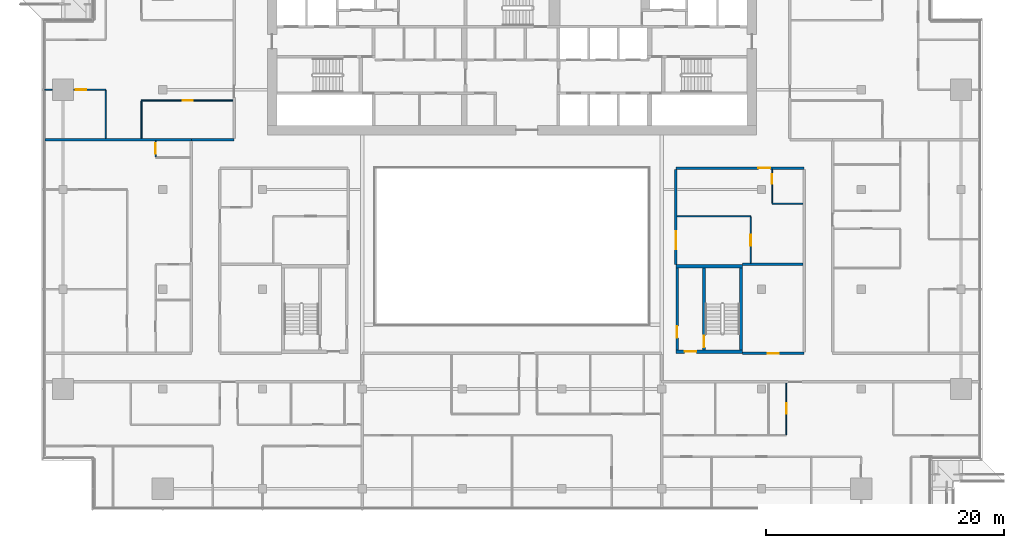
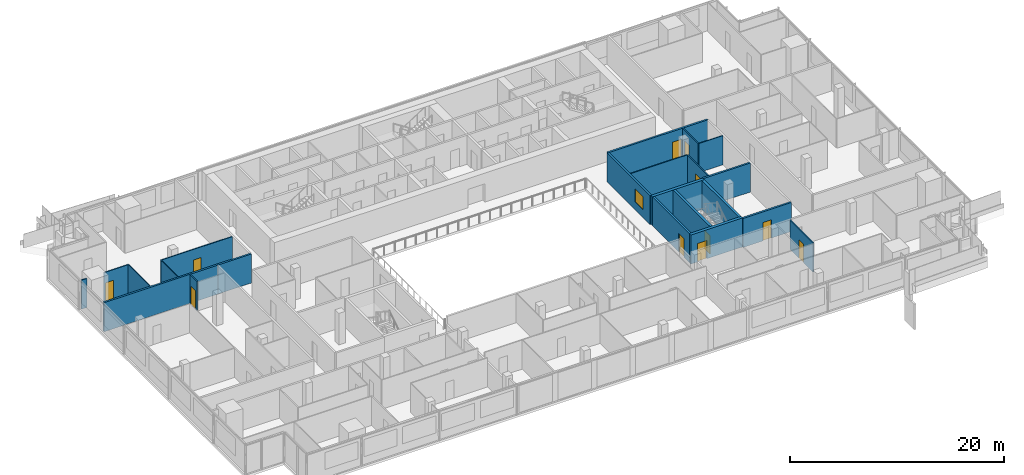
# One storey, part 20 of 30: 22 walls, 11 doors, 1 window, 12 openings.
"""IFC4 building model written with IfcOpenShell, lengths in metres."""

from ifc_helpers import new_model, si_unit, direction, frame, frame_2d, origin, place, context, subcontext, project, spatial, rectangle, extrude, material, layer, layer_set, type_object, element, fill, save


model = new_model("IFC4")

# Units and contexts
model_context = context("Model", 3, precision=1e-05, world=origin(), true_north=direction((0.0, 1.0)))
body_context = subcontext(model_context, "Body", "Model", "MODEL_VIEW")
ifc_project = project(units=[si_unit("LENGTHUNIT", "METRE"), si_unit("AREAUNIT", "SQUARE_METRE"), si_unit("VOLUMEUNIT", "CUBIC_METRE"), si_unit("PLANEANGLEUNIT", "RADIAN"), si_unit("MASSUNIT", "GRAM", prefix="KILO")], contexts=[model_context])

# Site, building, storey
site_placement = place(None, origin())
site = spatial("IfcSite", under=ifc_project, at=site_placement, CompositionType="ELEMENT")
building_placement = place(site_placement, origin())
building = spatial("IfcBuilding", under=site, at=building_placement, Name="Saffron Gate Tower", CompositionType="ELEMENT")
storey_placement = place(building_placement, frame((0.0, 0.0, 179.85009765625)))
storey = spatial("IfcBuildingStorey", under=building, at=storey_placement, Name="L44", CompositionType="ELEMENT", Elevation=179.85009765625)

# Wall, opening, door
ifc_material_1 = material(Name="Gypsum board partition on steel studs", Category="steel")
ifc_layer_1 = layer(ifc_material_1, 0.199951171875)
ifc_layer_set_1 = layer_set([ifc_layer_1], Name="CW10 Core partition 200")
wall_type_1 = type_object("IfcWallType", Name="CW10 Core partition 200", PredefinedType="PARTITIONING", material=ifc_layer_set_1)
wall_1_placement = place(storey_placement, frame((101.5, 43.5, 0.0), z_axis=(0.0, 0.0, 1.0), x_axis=(0.0, 1.0, 0.0)))
wall_1 = element("IfcWall", 1, at=wall_1_placement, inside=storey, type_object=wall_type_1, Name="Wall CW10-L44-E-2", PredefinedType="PARTITIONING", context=body_context, shape_type="SweptSolid", body=[
    extrude(rectangle(XDim=6.89990234375, YDim=0.199951171875, at=frame_2d((3.449951171875, 0.0))), origin(), (0.0, 0.0, 1.0), 3.31982421875),
])
opening_1_placement = place(wall_1_placement, frame((1.0, 0.0, 0.0)))
opening_1 = element("IfcOpeningElement", 2, at=opening_1_placement, cuts=wall_1, Name="Opening CR-22", PredefinedType="OPENING", context=body_context, shape_type="SweptSolid", body=[
    extrude(rectangle(XDim=1.0, YDim=2.10009765625, at=frame_2d((0.5, 1.050048828125))), frame((0.0, 0.10986328125, 0.0), z_axis=(0.0, -1.0, 0.0), x_axis=(1.0, 0.0, 0.0)), (0.0, 0.0, 1.0), 0.219970703125),
])
ifc_material_2 = material(Name="Steel fire door set", Category="steel")
door_type_1 = type_object("IfcDoorType", Name="CD4 Lobby door 1000x2100 EI 120", OperationType="NOTDEFINED", PredefinedType="DOOR", material=ifc_material_2)
door_1_placement = place(opening_1_placement, origin())
door_1 = element("IfcDoor", 3, at=door_1_placement, inside=storey, type_object=door_type_1, Name="DOOR CR-22", OperationType="SINGLE_SWING_LEFT", OverallHeight=2.10009765625, OverallWidth=1.0, PredefinedType="DOOR", context=body_context, shape_type="SweptSolid", body=[
    extrude(rectangle(XDim=1.0, YDim=2.10009765625, at=frame_2d((0.5, 1.050048828125))), frame((0.0, 0.02490234375, 0.0), z_axis=(0.0, -1.0, 0.0), x_axis=(1.0, 0.0, 0.0)), (0.0, 0.0, 1.0), 0.050048828125),
])
fill(opening_1, door_1)

ifc_material_3 = material(Name="Concrete C60", Category="concrete")
ifc_layer_2 = layer(ifc_material_3, 0.25)
ifc_layer_set_2 = layer_set([ifc_layer_2], Name="CW14 RC core wall 250 C60")
wall_type_2 = type_object("IfcWallType", Name="CW14 RC core wall 250 C60", PredefinedType="SOLIDWALL", material=ifc_layer_set_2)
wall_2_placement = place(storey_placement, frame((103.77490234375, 43.5, 0.0), z_axis=(0.0, 0.0, 1.0), x_axis=(0.0, 1.0, 0.0)))
wall_2 = element("IfcWall", 4, at=wall_2_placement, inside=storey, type_object=wall_type_2, Name="Wall CW14-L44-E-3", PredefinedType="SOLIDWALL", context=body_context, shape_type="SweptSolid", body=[
    extrude(rectangle(XDim=6.89990234375, YDim=0.25, at=frame_2d((3.449951171875, 0.0))), origin(), (0.0, 0.0, 1.0), 3.31982421875),
])
opening_2_placement = place(wall_2_placement, frame((0.199951171875, 0.0, 0.0)))
opening_2 = element("IfcOpeningElement", 5, at=opening_2_placement, cuts=wall_2, Name="Opening CR-23", PredefinedType="OPENING", context=body_context, shape_type="SweptSolid", body=[
    extrude(rectangle(XDim=1.0, YDim=2.10009765625, at=frame_2d((0.5, 1.050048828125))), frame((0.0, 0.135009765625, 0.0), z_axis=(0.0, -1.0, 0.0), x_axis=(1.0, 0.0, 0.0)), (0.0, 0.0, 1.0), 0.27001953125),
])
door_type_2 = type_object("IfcDoorType", Name="CD5 Stair door 1000x2100 EI 120", OperationType="NOTDEFINED", PredefinedType="DOOR", material=ifc_material_2)
door_2_placement = place(opening_2_placement, origin())
door_2 = element("IfcDoor", 6, at=door_2_placement, inside=storey, type_object=door_type_2, Name="DOOR CR-23", OperationType="SINGLE_SWING_RIGHT", OverallHeight=2.10009765625, OverallWidth=1.0, PredefinedType="DOOR", context=body_context, shape_type="SweptSolid", body=[
    extrude(rectangle(XDim=1.0, YDim=2.10009765625, at=frame_2d((0.5, 1.050048828125))), frame((0.0, 0.02490234375, 0.0), z_axis=(0.0, -1.0, 0.0), x_axis=(1.0, 0.0, 0.0)), (0.0, 0.0, 1.0), 0.050048828125),
])
fill(opening_2, door_2)

# Wall
wall_3_placement = place(storey_placement, frame((106.875, 43.5, 0.0), z_axis=(0.0, 0.0, 1.0), x_axis=(0.0, 1.0, 0.0)))
element("IfcWall", 7, at=wall_3_placement, inside=storey, type_object=wall_type_2, Name="Wall CW14-L44-E-4", PredefinedType="SOLIDWALL", context=body_context, shape_type="SweptSolid", body=[
    extrude(rectangle(XDim=6.89990234375, YDim=0.25, at=frame_2d((3.449951171875, 0.0))), origin(), (0.0, 0.0, 1.0), 3.31982421875),
])

# Wall, opening, door
ifc_layer_3 = layer(ifc_material_3, 0.300048828125)
ifc_layer_set_3 = layer_set([ifc_layer_3], Name="CW17 RC core wall 300 C60")
wall_type_3 = type_object("IfcWallType", Name="CW17 RC core wall 300 C60", PredefinedType="SOLIDWALL", material=ifc_layer_set_3)
wall_4_placement = place(storey_placement, frame((101.39990234375, 43.35009765625, 0.0), z_axis=(0.0, 0.0, 1.0), x_axis=(1.0, 0.0, 0.0)))
wall_4 = element("IfcWall", 8, at=wall_4_placement, inside=storey, type_object=wall_type_3, Name="Wall CW17-L44-E-1", PredefinedType="SOLIDWALL", context=body_context, shape_type="SweptSolid", body=[
    extrude(rectangle(XDim=5.60009765625, YDim=0.300048828125, at=frame_2d((2.800048828125, 0.0))), origin(), (0.0, 0.0, 1.0), 3.31982421875),
])
opening_3_placement = place(wall_4_placement, frame((0.72509765625, 0.0, 0.0)))
opening_3 = element("IfcOpeningElement", 9, at=opening_3_placement, cuts=wall_4, Name="Opening CR-21", PredefinedType="OPENING", context=body_context, shape_type="SweptSolid", body=[
    extrude(rectangle(XDim=1.0, YDim=2.10009765625, at=frame_2d((0.5, 1.050048828125))), frame((0.0, 0.16015625, 0.0), z_axis=(0.0, -1.0, 0.0), x_axis=(1.0, 0.0, 0.0)), (0.0, 0.0, 1.0), 0.320068359375),
])
door_3_placement = place(opening_3_placement, origin())
door_3 = element("IfcDoor", 10, at=door_3_placement, inside=storey, type_object=door_type_1, Name="DOOR CR-21", OperationType="SINGLE_SWING_RIGHT", OverallHeight=2.10009765625, OverallWidth=1.0, PredefinedType="DOOR", context=body_context, shape_type="SweptSolid", body=[
    extrude(rectangle(XDim=1.0, YDim=2.10009765625, at=frame_2d((0.5, 1.050048828125))), frame((0.0, 0.02490234375, 0.0), z_axis=(0.0, -1.0, 0.0), x_axis=(1.0, 0.0, 0.0)), (0.0, 0.0, 1.0), 0.050048828125),
])
fill(opening_3, door_3)

# Walls
wall_5_placement = place(storey_placement, frame((101.39990234375, 50.550048828125, 0.0), z_axis=(0.0, 0.0, 1.0), x_axis=(1.0, 0.0, 0.0)))
element("IfcWall", 11, at=wall_5_placement, inside=storey, type_object=wall_type_3, Name="Wall CW17-L44-E-5", PredefinedType="SOLIDWALL", context=body_context, shape_type="SweptSolid", body=[
    extrude(rectangle(XDim=5.60009765625, YDim=0.300048828125, at=frame_2d((2.800048828125, 0.0))), origin(), (0.0, 0.0, 1.0), 3.31982421875),
])
ifc_material_4 = material(Name="Plasterboard on steel studs", Category="steel")
ifc_layer_4 = layer(ifc_material_4, 0.10009765625)
ifc_layer_set_4 = layer_set([ifc_layer_4], Name="PW1 Partition 100")
wall_type_4 = type_object("IfcWallType", Name="PW1 Partition 100", PredefinedType="PARTITIONING", material=ifc_layer_set_4)
wall_6_placement = place(storey_placement, frame((101.5, 54.75, 0.0), z_axis=(0.0, 0.0, 1.0), x_axis=(1.0, 0.0, 0.0)))
element("IfcWall", 12, at=wall_6_placement, inside=storey, type_object=wall_type_4, Name="Partition C4-33", PredefinedType="PARTITIONING", context=body_context, shape_type="SweptSolid", body=[
    extrude(rectangle(XDim=6.199951171875, YDim=0.10009765625, at=frame_2d((3.10009765625, 0.0))), origin(), (0.0, 0.0, 1.0), 3.31982421875),
])
wall_7_placement = place(storey_placement, frame((109.5, 55.800048828125, 0.0), z_axis=(0.0, 0.0, 1.0), x_axis=(1.0, 0.0, 0.0)))
element("IfcWall", 13, at=wall_7_placement, inside=storey, type_object=wall_type_4, Name="Partition C4-36", PredefinedType="PARTITIONING", context=body_context, shape_type="SweptSolid", body=[
    extrude(rectangle(XDim=2.60009765625, YDim=0.10009765625, at=frame_2d((1.300048828125, 0.0))), origin(), (0.0, 0.0, 1.0), 3.31982421875),
])

# Wall, opening, door
wall_8_placement = place(storey_placement, frame((64.10009765625, 64.5, 0.0), z_axis=(0.0, 0.0, 1.0), x_axis=(-1.0, 0.0, 0.0)))
wall_8 = element("IfcWall", 14, at=wall_8_placement, inside=storey, type_object=wall_type_4, Name="Partition C4-47", PredefinedType="PARTITIONING", context=body_context, shape_type="SweptSolid", body=[
    extrude(rectangle(XDim=7.7001953125, YDim=0.10009765625, at=frame_2d((3.85009765625, 0.0))), origin(), (0.0, 0.0, 1.0), 3.31982421875),
])
opening_4_placement = place(wall_8_placement, frame((3.39990234375, 0.0, 0.0)))
opening_4 = element("IfcOpeningElement", 15, at=opening_4_placement, cuts=wall_8, Name="Opening C4-48", PredefinedType="OPENING", context=body_context, shape_type="SweptSolid", body=[
    extrude(rectangle(XDim=0.800048828125, YDim=2.10009765625, at=frame_2d((0.39990234375, 1.050048828125))), frame((0.0, 0.06005859375, 0.0), z_axis=(0.0, -1.0, 0.0), x_axis=(1.0, 0.0, 0.0)), (0.0, 0.0, 1.0), 0.1201171875),
])
ifc_material_5 = material(Name="Timber door set", Category="wood")
door_type_3 = type_object("IfcDoorType", Name="RD2 Bathroom door 800x2100", OperationType="NOTDEFINED", PredefinedType="DOOR", material=ifc_material_5)
door_4_placement = place(opening_4_placement, origin())
door_4 = element("IfcDoor", 16, at=door_4_placement, inside=storey, type_object=door_type_3, Name="Door C4-48", OperationType="SINGLE_SWING_LEFT", OverallHeight=2.10009765625, OverallWidth=0.800048828125, PredefinedType="DOOR", context=body_context, shape_type="SweptSolid", body=[
    extrude(rectangle(XDim=0.800048828125, YDim=2.10009765625, at=frame_2d((0.39990234375, 1.050048828125))), frame((0.0, 0.02490234375, 0.0), z_axis=(0.0, -1.0, 0.0), x_axis=(1.0, 0.0, 0.0)), (0.0, 0.0, 1.0), 0.050048828125),
])
fill(opening_4, door_4)

# Wall
wall_9_placement = place(storey_placement, frame((48.280029296875, 65.39990234375, 0.0), z_axis=(0.0, 0.0, 1.0), x_axis=(1.0, 0.0, 0.0)))
element("IfcWall", 17, at=wall_9_placement, inside=storey, type_object=wall_type_4, Name="Partition C4-49", PredefinedType="PARTITIONING", context=body_context, shape_type="SweptSolid", body=[
    extrude(rectangle(XDim=0.599853515625, YDim=0.10009765625, at=frame_2d((0.2998046875, 0.0))), origin(), (0.0, 0.0, 1.0), 3.31982421875),
])

# Wall, opening, door
wall_10_placement = place(storey_placement, frame((53.39990234375, 65.39990234375, 0.0), z_axis=(0.0, 0.0, 1.0), x_axis=(-1.0, 0.0, 0.0)))
wall_10 = element("IfcWall", 18, at=wall_10_placement, inside=storey, type_object=wall_type_4, Name="Partition C4-50", PredefinedType="PARTITIONING", context=body_context, shape_type="SweptSolid", body=[
    extrude(rectangle(XDim=2.679931640625, YDim=0.10009765625, at=frame_2d((1.33984375, 0.0))), origin(), (0.0, 0.0, 1.0), 3.31982421875),
])
opening_5_placement = place(wall_10_placement, frame((1.6298828125, 0.0, 0.0)))
opening_5 = element("IfcOpeningElement", 19, at=opening_5_placement, cuts=wall_10, Name="Opening C4-29", PredefinedType="OPENING", context=body_context, shape_type="SweptSolid", body=[
    extrude(rectangle(XDim=0.89990234375, YDim=2.10009765625, at=frame_2d((0.449951171875, 1.050048828125))), frame((0.0, 0.06005859375, 0.0), z_axis=(0.0, -1.0, 0.0), x_axis=(1.0, 0.0, 0.0)), (0.0, 0.0, 1.0), 0.1201171875),
])
door_type_4 = type_object("IfcDoorType", Name="RD1 Room door 900x2100", OperationType="NOTDEFINED", PredefinedType="DOOR", material=ifc_material_5)
door_5_placement = place(opening_5_placement, origin())
door_5 = element("IfcDoor", 20, at=door_5_placement, inside=storey, type_object=door_type_4, Name="Door C4-29", OperationType="SINGLE_SWING_RIGHT", OverallHeight=2.10009765625, OverallWidth=0.89990234375, PredefinedType="DOOR", context=body_context, shape_type="SweptSolid", body=[
    extrude(rectangle(XDim=0.89990234375, YDim=2.10009765625, at=frame_2d((0.449951171875, 1.050048828125))), frame((0.0, 0.02490234375, 0.0), z_axis=(0.0, -1.0, 0.0), x_axis=(1.0, 0.0, 0.0)), (0.0, 0.0, 1.0), 0.050048828125),
])
fill(opening_5, door_5)

# Walls
wall_11_placement = place(storey_placement, frame((53.39990234375, 65.35009765625, 0.0), z_axis=(0.0, 0.0, 1.0), x_axis=(0.0, -1.0, 0.0)))
element("IfcWall", 21, at=wall_11_placement, inside=storey, type_object=wall_type_4, Name="Partition C4-57", PredefinedType="PARTITIONING", context=body_context, shape_type="SweptSolid", body=[
    extrude(rectangle(XDim=4.050048828125, YDim=0.10009765625, at=frame_2d((2.02490234375, 0.0))), origin(), (0.0, 0.0, 1.0), 3.31982421875),
])
wall_12_placement = place(storey_placement, frame((56.39990234375, 64.449951171875, 0.0), z_axis=(0.0, 0.0, 1.0), x_axis=(0.0, -1.0, 0.0)))
element("IfcWall", 22, at=wall_12_placement, inside=storey, type_object=wall_type_4, Name="Partition C4-62", PredefinedType="PARTITIONING", context=body_context, shape_type="SweptSolid", body=[
    extrude(rectangle(XDim=3.14990234375, YDim=0.10009765625, at=frame_2d((1.574951171875, 0.0))), origin(), (0.0, 0.0, 1.0), 3.31982421875),
])

# Wall, opening, door
wall_13_placement = place(storey_placement, frame((57.60009765625, 61.10009765625, 0.0), z_axis=(0.0, 0.0, 1.0), x_axis=(0.0, -1.0, 0.0)))
wall_13 = element("IfcWall", 23, at=wall_13_placement, inside=storey, type_object=wall_type_4, Name="Partition C4-65", PredefinedType="PARTITIONING", context=body_context, shape_type="SweptSolid", body=[
    extrude(rectangle(XDim=1.35009765625, YDim=0.10009765625, at=frame_2d((0.675048828125, 0.0))), origin(), (0.0, 0.0, 1.0), 3.31982421875),
])
opening_6_placement = place(wall_13_placement, frame((0.199951171875, 0.0, 0.0)))
opening_6 = element("IfcOpeningElement", 24, at=opening_6_placement, cuts=wall_13, Name="Opening C4-28", PredefinedType="OPENING", context=body_context, shape_type="SweptSolid", body=[
    extrude(rectangle(XDim=0.89990234375, YDim=2.10009765625, at=frame_2d((0.449951171875, 1.050048828125))), frame((0.0, 0.06005859375, 0.0), z_axis=(0.0, -1.0, 0.0), x_axis=(1.0, 0.0, 0.0)), (0.0, 0.0, 1.0), 0.1201171875),
])
door_6_placement = place(opening_6_placement, origin())
door_6 = element("IfcDoor", 25, at=door_6_placement, inside=storey, type_object=door_type_4, Name="Door C4-28", OperationType="SINGLE_SWING_LEFT", OverallHeight=2.10009765625, OverallWidth=0.89990234375, PredefinedType="DOOR", context=body_context, shape_type="SweptSolid", body=[
    extrude(rectangle(XDim=0.89990234375, YDim=2.10009765625, at=frame_2d((0.449951171875, 1.050048828125))), frame((0.0, 0.02490234375, 0.0), z_axis=(0.0, -1.0, 0.0), x_axis=(1.0, 0.0, 0.0)), (0.0, 0.0, 1.0), 0.050048828125),
])
fill(opening_6, door_6)

wall_14_placement = place(storey_placement, frame((107.699951171875, 50.800048828125, 0.0), z_axis=(0.0, 0.0, 1.0), x_axis=(0.0, 1.0, 0.0)))
wall_14 = element("IfcWall", 26, at=wall_14_placement, inside=storey, type_object=wall_type_4, Name="Partition C4-96", PredefinedType="PARTITIONING", context=body_context, shape_type="SweptSolid", body=[
    extrude(rectangle(XDim=3.89990234375, YDim=0.10009765625, at=frame_2d((1.949951171875, 0.0))), origin(), (0.0, 0.0, 1.0), 3.31982421875),
])
opening_7_placement = place(wall_14_placement, frame((1.47509765625, 0.0, 0.0)))
opening_7 = element("IfcOpeningElement", 27, at=opening_7_placement, cuts=wall_14, Name="Opening C4-39", PredefinedType="OPENING", context=body_context, shape_type="SweptSolid", body=[
    extrude(rectangle(XDim=0.89990234375, YDim=2.10009765625, at=frame_2d((0.449951171875, 1.050048828125))), frame((0.0, 0.06005859375, 0.0), z_axis=(0.0, -1.0, 0.0), x_axis=(1.0, 0.0, 0.0)), (0.0, 0.0, 1.0), 0.1201171875),
])
door_7_placement = place(opening_7_placement, origin())
door_7 = element("IfcDoor", 28, at=door_7_placement, inside=storey, type_object=door_type_4, Name="Door C4-39", OperationType="SINGLE_SWING_LEFT", OverallHeight=2.10009765625, OverallWidth=0.89990234375, PredefinedType="DOOR", context=body_context, shape_type="SweptSolid", body=[
    extrude(rectangle(XDim=0.89990234375, YDim=2.10009765625, at=frame_2d((0.449951171875, 1.050048828125))), frame((0.0, 0.02490234375, 0.0), z_axis=(0.0, -1.0, 0.0), x_axis=(1.0, 0.0, 0.0)), (0.0, 0.0, 1.0), 0.050048828125),
])
fill(opening_7, door_7)

wall_15_placement = place(storey_placement, frame((109.5, 58.699951171875, 0.0), z_axis=(0.0, 0.0, 1.0), x_axis=(0.0, -1.0, 0.0)))
wall_15 = element("IfcWall", 29, at=wall_15_placement, inside=storey, type_object=wall_type_4, Name="Partition C4-98", PredefinedType="PARTITIONING", context=body_context, shape_type="SweptSolid", body=[
    extrude(rectangle(XDim=2.849853515625, YDim=0.10009765625, at=frame_2d((1.4248046875, 0.0))), origin(), (0.0, 0.0, 1.0), 3.31982421875),
])
opening_8_placement = place(wall_15_placement, frame((0.39990234375, 0.0, 0.0)))
opening_8 = element("IfcOpeningElement", 30, at=opening_8_placement, cuts=wall_15, Name="Opening C4-53", PredefinedType="OPENING", context=body_context, shape_type="SweptSolid", body=[
    extrude(rectangle(XDim=0.800048828125, YDim=2.10009765625, at=frame_2d((0.39990234375, 1.050048828125))), frame((0.0, 0.06005859375, 0.0), z_axis=(0.0, -1.0, 0.0), x_axis=(1.0, 0.0, 0.0)), (0.0, 0.0, 1.0), 0.1201171875),
])
door_8_placement = place(opening_8_placement, origin())
door_8 = element("IfcDoor", 31, at=door_8_placement, inside=storey, type_object=door_type_3, Name="Door C4-53", OperationType="SINGLE_SWING_LEFT", OverallHeight=2.10009765625, OverallWidth=0.800048828125, PredefinedType="DOOR", context=body_context, shape_type="SweptSolid", body=[
    extrude(rectangle(XDim=0.800048828125, YDim=2.10009765625, at=frame_2d((0.39990234375, 1.050048828125))), frame((0.0, 0.02490234375, 0.0), z_axis=(0.0, -1.0, 0.0), x_axis=(1.0, 0.0, 0.0)), (0.0, 0.0, 1.0), 0.050048828125),
])
fill(opening_8, door_8)

wall_16_placement = place(storey_placement, frame((110.699951171875, 36.35009765625, 0.0), z_axis=(0.0, 0.0, 1.0), x_axis=(0.0, 1.0, 0.0)))
wall_16 = element("IfcWall", 32, at=wall_16_placement, inside=storey, type_object=wall_type_4, Name="Partition C4-99", PredefinedType="PARTITIONING", context=body_context, shape_type="SweptSolid", body=[
    extrude(rectangle(XDim=4.349853515625, YDim=0.10009765625, at=frame_2d((2.1748046875, 0.0))), origin(), (0.0, 0.0, 1.0), 3.31982421875),
])
opening_9_placement = place(wall_16_placement, frame((1.75, 0.0, 0.0)))
opening_9 = element("IfcOpeningElement", 33, at=opening_9_placement, cuts=wall_16, Name="Opening C4-25", PredefinedType="OPENING", context=body_context, shape_type="SweptSolid", body=[
    extrude(rectangle(XDim=0.89990234375, YDim=2.10009765625, at=frame_2d((0.449951171875, 1.050048828125))), frame((0.0, 0.06005859375, 0.0), z_axis=(0.0, -1.0, 0.0), x_axis=(1.0, 0.0, 0.0)), (0.0, 0.0, 1.0), 0.1201171875),
])
door_9_placement = place(opening_9_placement, origin())
door_9 = element("IfcDoor", 34, at=door_9_placement, inside=storey, type_object=door_type_4, Name="Door C4-25", OperationType="SINGLE_SWING_RIGHT", OverallHeight=2.10009765625, OverallWidth=0.89990234375, PredefinedType="DOOR", context=body_context, shape_type="SweptSolid", body=[
    extrude(rectangle(XDim=0.89990234375, YDim=2.10009765625, at=frame_2d((0.449951171875, 1.050048828125))), frame((0.0, 0.02490234375, 0.0), z_axis=(0.0, -1.0, 0.0), x_axis=(1.0, 0.0, 0.0)), (0.0, 0.0, 1.0), 0.050048828125),
])
fill(opening_9, door_9)

# Walls
ifc_material_6 = material(Name="Clay brick masonry, rendered", Category="masonry")
ifc_layer_5 = layer(ifc_material_6, 0.199951171875)
ifc_layer_set_5 = layer_set([ifc_layer_5], Name="PW2 Demising wall 200")
wall_type_5 = type_object("IfcWallType", Name="PW2 Demising wall 200", PredefinedType="PARTITIONING", material=ifc_layer_set_5)
wall_17_placement = place(storey_placement, frame((107.0, 50.699951171875, 0.0), z_axis=(0.0, 0.0, 1.0), x_axis=(1.0, 0.0, 0.0)))
element("IfcWall", 35, at=wall_17_placement, inside=storey, type_object=wall_type_5, Name="Wall C4-28", PredefinedType="PARTITIONING", context=body_context, shape_type="SweptSolid", body=[
    extrude(rectangle(XDim=5.10009765625, YDim=0.199951171875, at=frame_2d((2.550048828125, 0.0))), origin(), (0.0, 0.0, 1.0), 3.31982421875),
])
wall_18_placement = place(storey_placement, frame((48.280029296875, 61.199951171875, 0.0), z_axis=(0.0, 0.0, 1.0), x_axis=(1.0, 0.0, 0.0)))
element("IfcWall", 36, at=wall_18_placement, inside=storey, type_object=wall_type_5, Name="Wall C4-45", PredefinedType="PARTITIONING", context=body_context, shape_type="SweptSolid", body=[
    extrude(rectangle(XDim=12.320068359375, YDim=0.199951171875, at=frame_2d((6.16015625, 0.0))), origin(), (0.0, 0.0, 1.0), 3.31982421875),
])

# Wall, opening, door
ifc_layer_6 = layer(ifc_material_6, 0.199951171875)
ifc_layer_set_6 = layer_set([ifc_layer_6], Name="PW3 Corridor wall 200")
wall_type_6 = type_object("IfcWallType", Name="PW3 Corridor wall 200", PredefinedType="PARTITIONING", material=ifc_layer_set_6)
wall_19_placement = place(storey_placement, frame((107.0, 43.199951171875, 0.0), z_axis=(0.0, 0.0, 1.0), x_axis=(1.0, 0.0, 0.0)))
wall_19 = element("IfcWall", 37, at=wall_19_placement, inside=storey, type_object=wall_type_6, Name="Wall C4-19", PredefinedType="PARTITIONING", context=body_context, shape_type="SweptSolid", body=[
    extrude(rectangle(XDim=5.199951171875, YDim=0.199951171875, at=frame_2d((2.60009765625, 0.0))), origin(), (0.0, 0.0, 1.0), 3.31982421875),
])
opening_10_placement = place(wall_19_placement, frame((2.14990234375, 0.0, 0.0)))
opening_10 = element("IfcOpeningElement", 38, at=opening_10_placement, cuts=wall_19, Name="Opening C4-54", PredefinedType="OPENING", context=body_context, shape_type="SweptSolid", body=[
    extrude(rectangle(XDim=0.89990234375, YDim=2.10009765625, at=frame_2d((0.449951171875, 1.050048828125))), frame((0.0, 0.10986328125, 0.0), z_axis=(0.0, -1.0, 0.0), x_axis=(1.0, 0.0, 0.0)), (0.0, 0.0, 1.0), 0.219970703125),
])
door_type_5 = type_object("IfcDoorType", Name="SD1 Service door 900x2100", OperationType="NOTDEFINED", PredefinedType="DOOR", material=ifc_material_2)
door_10_placement = place(opening_10_placement, origin())
door_10 = element("IfcDoor", 39, at=door_10_placement, inside=storey, type_object=door_type_5, Name="Door C4-54", OperationType="SINGLE_SWING_LEFT", OverallHeight=2.10009765625, OverallWidth=0.89990234375, PredefinedType="DOOR", context=body_context, shape_type="SweptSolid", body=[
    extrude(rectangle(XDim=0.89990234375, YDim=2.10009765625, at=frame_2d((0.449951171875, 1.050048828125))), frame((0.0, 0.02490234375, 0.0), z_axis=(0.0, -1.0, 0.0), x_axis=(1.0, 0.0, 0.0)), (0.0, 0.0, 1.0), 0.050048828125),
])
fill(opening_10, door_10)

wall_20_placement = place(storey_placement, frame((112.199951171875, 58.800048828125, 0.0), z_axis=(0.0, 0.0, 1.0), x_axis=(-1.0, 0.0, 0.0)))
wall_20 = element("IfcWall", 40, at=wall_20_placement, inside=storey, type_object=wall_type_6, Name="Wall C4-40", PredefinedType="PARTITIONING", context=body_context, shape_type="SweptSolid", body=[
    extrude(rectangle(XDim=10.800048828125, YDim=0.199951171875, at=frame_2d((5.39990234375, 0.0))), origin(), (0.0, 0.0, 1.0), 3.31982421875),
])
opening_11_placement = place(wall_20_placement, frame((2.85009765625, 0.0, 0.0)))
opening_11 = element("IfcOpeningElement", 41, at=opening_11_placement, cuts=wall_20, Name="Opening C4-9", PredefinedType="OPENING", context=body_context, shape_type="SweptSolid", body=[
    extrude(rectangle(XDim=1.0, YDim=2.10009765625, at=frame_2d((0.5, 1.050048828125))), frame((0.0, 0.10986328125, 0.0), z_axis=(0.0, -1.0, 0.0), x_axis=(1.0, 0.0, 0.0)), (0.0, 0.0, 1.0), 0.219970703125),
])
ifc_material_7 = material(Name="Timber fire door set", Category="wood")
door_type_6 = type_object("IfcDoorType", Name="FD1 Flat entry door 1000x2100", OperationType="NOTDEFINED", PredefinedType="DOOR", material=ifc_material_7)
door_11_placement = place(opening_11_placement, origin())
door_11 = element("IfcDoor", 42, at=door_11_placement, inside=storey, type_object=door_type_6, Name="Door C4-9", OperationType="SINGLE_SWING_LEFT", OverallHeight=2.10009765625, OverallWidth=1.0, PredefinedType="DOOR", context=body_context, shape_type="SweptSolid", body=[
    extrude(rectangle(XDim=1.0, YDim=2.10009765625, at=frame_2d((0.5, 1.050048828125))), frame((0.0, 0.02490234375, 0.0), z_axis=(0.0, -1.0, 0.0), x_axis=(1.0, 0.0, 0.0)), (0.0, 0.0, 1.0), 0.050048828125),
])
fill(opening_11, door_11)

# Wall
wall_21_placement = place(storey_placement, frame((60.60009765625, 61.199951171875, 0.0), z_axis=(0.0, 0.0, 1.0), x_axis=(1.0, 0.0, 0.0)))
element("IfcWall", 43, at=wall_21_placement, inside=storey, type_object=wall_type_6, Name="Wall C4-43", PredefinedType="PARTITIONING", context=body_context, shape_type="SweptSolid", body=[
    extrude(rectangle(XDim=3.599853515625, YDim=0.199951171875, at=frame_2d((1.7998046875, 0.0))), origin(), (0.0, 0.0, 1.0), 3.31982421875),
])

# Wall, opening, window
wall_22_placement = place(storey_placement, frame((101.39990234375, 58.699951171875, 0.0), z_axis=(0.0, 0.0, 1.0), x_axis=(0.0, -1.0, 0.0)))
wall_22 = element("IfcWall", 44, at=wall_22_placement, inside=storey, type_object=wall_type_6, Name="Wall C4-93", PredefinedType="PARTITIONING", context=body_context, shape_type="SweptSolid", body=[
    extrude(rectangle(XDim=8.0, YDim=0.199951171875, at=frame_2d((4.0, 0.0))), origin(), (0.0, 0.0, 1.0), 3.31982421875),
])
opening_12_placement = place(wall_22_placement, frame((5.22509765625, 0.0, 0.89990234375)))
opening_12 = element("IfcOpeningElement", 45, at=opening_12_placement, cuts=wall_22, Name="Opening GW1", PredefinedType="OPENING", context=body_context, shape_type="SweptSolid", body=[
    extrude(rectangle(XDim=1.5, YDim=1.5, at=frame_2d((0.75, 0.75))), frame((0.0, 0.10986328125, 0.0), z_axis=(0.0, -1.0, 0.0), x_axis=(1.0, 0.0, 0.0)), (0.0, 0.0, 1.0), 0.219970703125),
])
ifc_material_8 = material(Name="Fire-resisting laminated glass in steel frame", Category="steel")
ifc_layer_7 = layer(ifc_material_8, 0.06005859375)
ifc_layer_set_7 = layer_set([ifc_layer_7], Name="GW1 Gallery window 1500x1500")
window_type = type_object("IfcWindowType", Name="GW1 Gallery window 1500x1500", PartitioningType="SINGLE_PANEL", PredefinedType="WINDOW", material=ifc_layer_set_7)
window_placement = place(opening_12_placement, origin())
window = element("IfcWindow", 46, at=window_placement, inside=storey, type_object=window_type, Name="GW1 window C4-J-B1", OverallHeight=1.5, OverallWidth=1.5, PartitioningType="SINGLE_PANEL", PredefinedType="WINDOW", context=body_context, shape_type="SweptSolid", body=[
    extrude(rectangle(XDim=1.5, YDim=1.5, at=frame_2d((0.75, 0.75))), frame((0.0, 0.030029296875, 0.0), z_axis=(0.0, -1.0, 0.0), x_axis=(1.0, 0.0, 0.0)), (0.0, 0.0, 1.0), 0.06005859375),
])
fill(opening_12, window)

save(model, "model.ifc")
